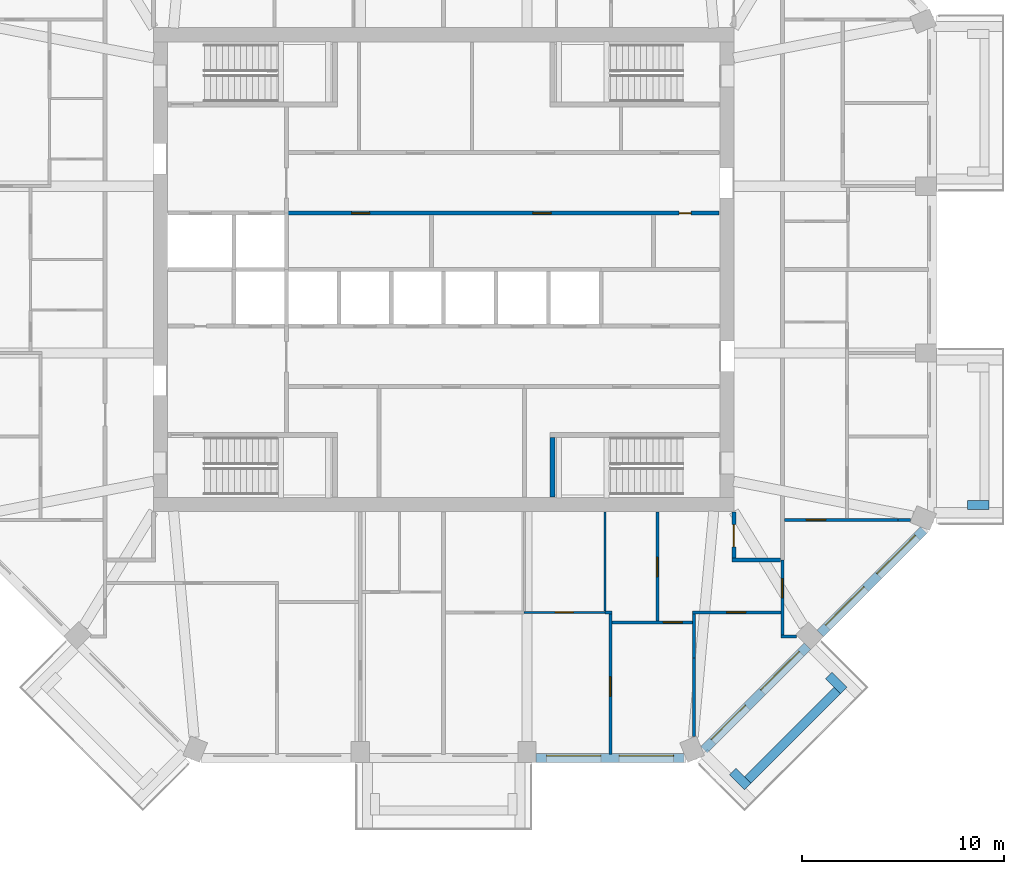
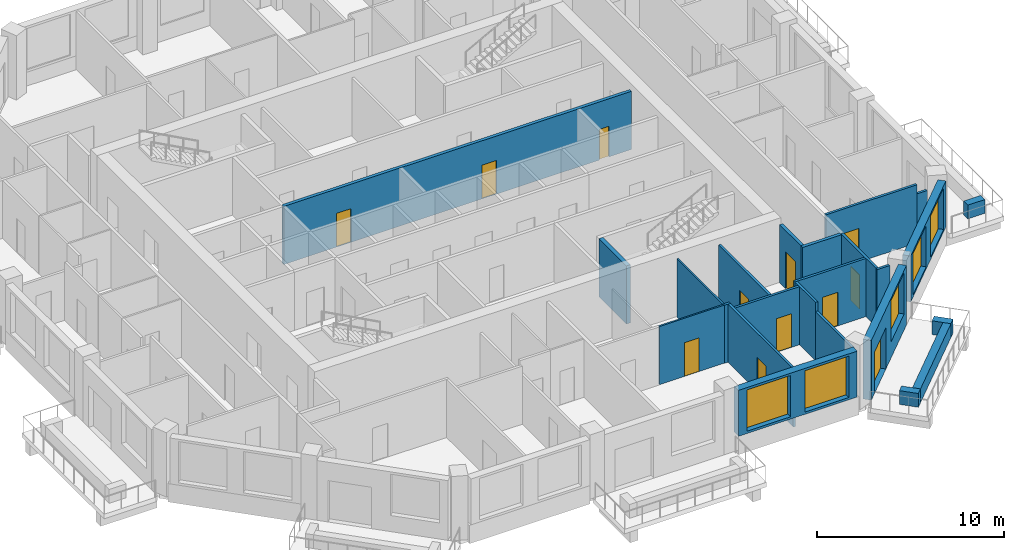
# One storey, part 5 of 12: 24 walls, 12 doors, 5 windows, 17 openings.
"""IFC4 building model written with IfcOpenShell, lengths in metres."""

from ifc_helpers import new_model, si_unit, direction, frame, frame_2d, origin, place, context, subcontext, project, spatial, rectangle, extrude, material, layer, layer_set, type_object, element, fill, save


model = new_model("IFC4")

# Units and contexts
model_context = context("Model", 3, precision=1e-05, world=origin(), true_north=direction((0.0, 1.0)))
body_context = subcontext(model_context, "Body", "Model", "MODEL_VIEW")
ifc_project = project(units=[si_unit("LENGTHUNIT", "METRE"), si_unit("AREAUNIT", "SQUARE_METRE"), si_unit("VOLUMEUNIT", "CUBIC_METRE"), si_unit("PLANEANGLEUNIT", "RADIAN"), si_unit("MASSUNIT", "GRAM", prefix="KILO")], contexts=[model_context])

# Site, building, storey
site_placement = place(None, origin())
site = spatial("IfcSite", under=ifc_project, at=site_placement, CompositionType="ELEMENT")
building_placement = place(site_placement, origin())
building = spatial("IfcBuilding", under=site, at=building_placement, Name="Msitu Wima Residences", CompositionType="ELEMENT")
storey_placement = place(building_placement, frame((0.0, 0.0, 200.10009765625)))
storey = spatial("IfcBuildingStorey", under=building, at=storey_placement, Name="L46", CompositionType="ELEMENT", Elevation=200.10009765625)

# Walls
ifc_material_1 = material(Name="Facing brick")
ifc_layer_1 = layer(ifc_material_1, 0.06494140625, Name="Facing brick")
ifc_material_2 = material(Name="Concrete C40/50", Category="concrete")
ifc_layer_2 = layer(ifc_material_2, 0.156005859375, Name="Concrete C40/50")
ifc_material_3 = material(Name="Waterproofing membrane")
ifc_layer_3 = layer(ifc_material_3, 0.00390625, Name="Waterproofing membrane")
ifc_material_4 = material(Name="Planting soil and planting")
ifc_layer_4 = layer(ifc_material_4, 0.22509765625, Name="Planting soil and planting")
ifc_layer_set_1 = layer_set([ifc_layer_1, ifc_layer_2, ifc_layer_3, ifc_layer_4], Name="Concrete C40/50")
wall_type_1 = type_object("IfcWallType", Name="Balcony planter PLANTER PL450", PredefinedType="USERDEFINED", material=ifc_layer_set_1)
wall_1_placement = place(storey_placement, frame((26.0, -11.686767578125, 0.0), z_axis=(0.0, 0.0, 1.0), x_axis=(1.0, 0.0, 0.0)))
element("IfcWall", 1, at=wall_1_placement, inside=storey, type_object=wall_type_1, Name="Balcony planter E0 L46", ObjectType="PLANTER", PredefinedType="USERDEFINED", context=body_context, shape_type="SweptSolid", body=[
    extrude(rectangle(XDim=1.050048828125, YDim=0.449951171875, at=frame_2d((0.52490234375, 0.0))), origin(), (0.0, 0.0, 1.0), 0.89990234375),
])
wall_2_placement = place(storey_placement, frame((15.0810546875, -25.325927734375, 0.0), z_axis=(0.0, 0.0, 1.0), x_axis=(0.707106781187, 0.707106781187, 0.0)))
element("IfcWall", 2, at=wall_2_placement, inside=storey, type_object=wall_type_1, Name="Balcony planter SE0 L46", ObjectType="PLANTER", PredefinedType="USERDEFINED", context=body_context, shape_type="SweptSolid", body=[
    extrude(rectangle(XDim=6.294189453125, YDim=0.449951171875, at=frame_2d((3.14697265625, 0.0))), origin(), (0.0, 0.0, 1.0), 0.89990234375),
])
for number, where, z_axis, x_axis, name in (
    (3, (14.338623046875, -24.901611328125, 0.0), (0.0, 0.0, 1.0), (0.707106781187, -0.707106781187, 0.0), "Balcony planter SE0 L46"),
    (4, (19.107421875, -20.1328125, 0.0), (0.0, 0.0, 1.0), (0.707106781187, -0.707106781187, 0.0), "Balcony planter SE0 L46"),
):
    element("IfcWall", number, at=place(storey_placement, frame(where, z_axis=z_axis, x_axis=x_axis)), inside=storey, type_object=wall_type_1, Name=name, ObjectType="PLANTER", PredefinedType="USERDEFINED", context=body_context, shape_type="SweptSolid", body=[
        extrude(rectangle(XDim=1.050048828125, YDim=0.449951171875, at=frame_2d((0.52490234375, 0.0))), origin(), (0.0, 0.0, 1.0), 0.89990234375),
    ])

# Wall, openings, windows
ifc_material_5 = material(Name="Brick (red buff mix)", Category="masonry")
ifc_layer_5 = layer(ifc_material_5, 0.449951171875)
ifc_layer_set_2 = layer_set([ifc_layer_5], Name="Brick (red buff mix)")
wall_type_2 = type_object("IfcWallType", Name="Brick infill wall BW450", PredefinedType="SOLIDWALL", material=ifc_layer_set_2)
wall_3_placement = place(storey_placement, frame((4.587158203125, -24.22509765625, 0.89990234375), z_axis=(0.0, 0.0, 1.0), x_axis=(1.0, 0.0, 0.0)))
wall_3 = element("IfcWall", 5, at=wall_3_placement, inside=storey, type_object=wall_type_2, Name="Brick infill wall L46 S2", PredefinedType="SOLIDWALL", context=body_context, shape_type="SweptSolid", body=[
    extrude(rectangle(XDim=7.337646484375, YDim=0.449951171875, at=frame_2d((3.6689453125, 0.0))), origin(), (0.0, 0.0, 1.0), 3.0),
])
opening_1_placement = place(wall_3_placement, frame((0.518798828125, 0.0, 0.14990234375)))
opening_1 = element("IfcOpeningElement", 6, at=opening_1_placement, cuts=wall_3, Name="Opening W46.019", PredefinedType="OPENING", context=body_context, shape_type="SweptSolid", body=[
    extrude(rectangle(XDim=2.699951171875, YDim=2.699951171875, at=frame_2d((1.35009765625, 1.35009765625))), frame((0.0, 0.23486328125, 0.0), z_axis=(0.0, -1.0, 0.0), x_axis=(1.0, 0.0, 0.0)), (0.0, 0.0, 1.0), 0.469970703125),
])
opening_2_placement = place(wall_3_placement, frame((4.11865234375, 0.0, 0.14990234375)))
opening_2 = element("IfcOpeningElement", 7, at=opening_2_placement, cuts=wall_3, Name="Opening W46.020", PredefinedType="OPENING", context=body_context, shape_type="SweptSolid", body=[
    extrude(rectangle(XDim=2.699951171875, YDim=2.699951171875, at=frame_2d((1.35009765625, 1.35009765625))), frame((0.0, 0.23486328125, 0.0), z_axis=(0.0, -1.0, 0.0), x_axis=(1.0, 0.0, 0.0)), (0.0, 0.0, 1.0), 0.469970703125),
])
ifc_material_6 = material(Name="Anodised aluminium, bronze finish, clear low-emissivity double glazing", Category="aluminium")
window_type = type_object("IfcWindowType", Name="Window W2700x2700", PartitioningType="DOUBLE_PANEL_VERTICAL", PredefinedType="WINDOW", material=ifc_material_6)
window_1_placement = place(opening_1_placement, origin())
window_1 = element("IfcWindow", 8, at=window_1_placement, inside=storey, type_object=window_type, Name="Window L46 S2.1", OverallHeight=2.699951171875, OverallWidth=2.699951171875, PartitioningType="SINGLE_PANEL", PredefinedType="WINDOW", context=body_context, shape_type="SweptSolid", body=[
    extrude(rectangle(XDim=2.699951171875, YDim=2.699951171875, at=frame_2d((1.35009765625, 1.35009765625))), frame((0.0, 0.135009765625, 0.0), z_axis=(0.0, -1.0, 0.0), x_axis=(1.0, 0.0, 0.0)), (0.0, 0.0, 1.0), 0.06005859375),
])
fill(opening_1, window_1)
window_2_placement = place(opening_2_placement, origin())
window_2 = element("IfcWindow", 9, at=window_2_placement, inside=storey, type_object=window_type, Name="Window L46 S2.2", OverallHeight=2.699951171875, OverallWidth=2.699951171875, PartitioningType="SINGLE_PANEL", PredefinedType="WINDOW", context=body_context, shape_type="SweptSolid", body=[
    extrude(rectangle(XDim=2.699951171875, YDim=2.699951171875, at=frame_2d((1.35009765625, 1.35009765625))), frame((0.0, 0.135009765625, 0.0), z_axis=(0.0, -1.0, 0.0), x_axis=(1.0, 0.0, 0.0)), (0.0, 0.0, 1.0), 0.06005859375),
])
fill(opening_2, window_2)

# Wall, openings, door, window
wall_4_placement = place(storey_placement, frame((12.915283203125, -23.814697265625, 0.0), z_axis=(0.0, 0.0, 1.0), x_axis=(0.707106781187, 0.707106781187, 0.0)))
wall_4 = element("IfcWall", 10, at=wall_4_placement, inside=storey, type_object=wall_type_2, Name="Brick infill wall L46 SE0", PredefinedType="SOLIDWALL", context=body_context, shape_type="SweptSolid", body=[
    extrude(rectangle(XDim=7.257080078125, YDim=0.449951171875, at=frame_2d((3.62841796875, 0.0))), origin(), (0.0, 0.0, 1.0), 3.89990234375),
])
opening_3_placement = place(wall_4_placement, frame((0.6142578125, 0.0, 0.0)))
opening_3 = element("IfcOpeningElement", 11, at=opening_3_placement, cuts=wall_4, Name="Opening D46.007", PredefinedType="OPENING", context=body_context, shape_type="SweptSolid", body=[
    extrude(rectangle(XDim=2.39990234375, YDim=2.699951171875, at=frame_2d((1.199951171875, 1.35009765625))), frame((0.0, 0.23486328125, 0.0), z_axis=(0.0, -1.0, 0.0), x_axis=(1.0, 0.0, 0.0)), (0.0, 0.0, 1.0), 0.469970703125),
])
opening_4_placement = place(wall_4_placement, frame((4.07861328125, 0.0, 1.050048828125)))
opening_4 = element("IfcOpeningElement", 12, at=opening_4_placement, cuts=wall_4, Name="Opening W46.021", PredefinedType="OPENING", context=body_context, shape_type="SweptSolid", body=[
    extrude(rectangle(XDim=2.699951171875, YDim=2.699951171875, at=frame_2d((1.35009765625, 1.35009765625))), frame((0.0, 0.23486328125, 0.0), z_axis=(0.0, -1.0, 0.0), x_axis=(1.0, 0.0, 0.0)), (0.0, 0.0, 1.0), 0.469970703125),
])
door_type_1 = type_object("IfcDoorType", Name="Balcony door D2400x2700", OperationType="SLIDING_TO_LEFT", PredefinedType="DOOR", material=ifc_material_6)
door_1_placement = place(opening_3_placement, origin())
door_1 = element("IfcDoor", 13, at=door_1_placement, inside=storey, type_object=door_type_1, Name="Balcony door L46 SE0", OperationType="SINGLE_SWING_LEFT", OverallHeight=2.699951171875, OverallWidth=2.39990234375, PredefinedType="DOOR", context=body_context, shape_type="SweptSolid", body=[
    extrude(rectangle(XDim=2.39990234375, YDim=2.699951171875, at=frame_2d((1.199951171875, 1.35009765625))), frame((0.0, 0.1298828125, 0.0), z_axis=(0.0, -1.0, 0.0), x_axis=(1.0, 0.0, 0.0)), (0.0, 0.0, 1.0), 0.050048828125),
])
fill(opening_3, door_1)
window_3_placement = place(opening_4_placement, origin())
window_3 = element("IfcWindow", 14, at=window_3_placement, inside=storey, type_object=window_type, Name="Window L46 SE0.2", OverallHeight=2.699951171875, OverallWidth=2.699951171875, PartitioningType="SINGLE_PANEL", PredefinedType="WINDOW", context=body_context, shape_type="SweptSolid", body=[
    extrude(rectangle(XDim=2.699951171875, YDim=2.699951171875, at=frame_2d((1.35009765625, 1.35009765625))), frame((0.0, 0.135009765625, 0.0), z_axis=(0.0, -1.0, 0.0), x_axis=(1.0, 0.0, 0.0)), (0.0, 0.0, 1.0), 0.06005859375),
])
fill(opening_4, window_3)

# Wall, openings, windows
wall_5_placement = place(storey_placement, frame((18.68310546875, -18.046875, 0.89990234375), z_axis=(0.0, 0.0, 1.0), x_axis=(0.707106781187, 0.707106781187, 0.0)))
wall_5 = element("IfcWall", 15, at=wall_5_placement, inside=storey, type_object=wall_type_2, Name="Brick infill wall L46 SE1", PredefinedType="SOLIDWALL", context=body_context, shape_type="SweptSolid", body=[
    extrude(rectangle(XDim=7.257080078125, YDim=0.449951171875, at=frame_2d((3.62841796875, 0.0))), origin(), (0.0, 0.0, 1.0), 3.0),
])
opening_5_placement = place(wall_5_placement, frame((0.478515625, 0.0, 0.14990234375)))
opening_5 = element("IfcOpeningElement", 16, at=opening_5_placement, cuts=wall_5, Name="Opening W46.022", PredefinedType="OPENING", context=body_context, shape_type="SweptSolid", body=[
    extrude(rectangle(XDim=2.699951171875, YDim=2.699951171875, at=frame_2d((1.35009765625, 1.35009765625))), frame((0.0, 0.23486328125, 0.0), z_axis=(0.0, -1.0, 0.0), x_axis=(1.0, 0.0, 0.0)), (0.0, 0.0, 1.0), 0.469970703125),
])
opening_6_placement = place(wall_5_placement, frame((4.07861328125, 0.0, 0.14990234375)))
opening_6 = element("IfcOpeningElement", 17, at=opening_6_placement, cuts=wall_5, Name="Opening W46.023", PredefinedType="OPENING", context=body_context, shape_type="SweptSolid", body=[
    extrude(rectangle(XDim=2.699951171875, YDim=2.699951171875, at=frame_2d((1.35009765625, 1.35009765625))), frame((0.0, 0.23486328125, 0.0), z_axis=(0.0, -1.0, 0.0), x_axis=(1.0, 0.0, 0.0)), (0.0, 0.0, 1.0), 0.469970703125),
])
window_4_placement = place(opening_5_placement, origin())
window_4 = element("IfcWindow", 18, at=window_4_placement, inside=storey, type_object=window_type, Name="Window L46 SE1.1", OverallHeight=2.699951171875, OverallWidth=2.699951171875, PartitioningType="SINGLE_PANEL", PredefinedType="WINDOW", context=body_context, shape_type="SweptSolid", body=[
    extrude(rectangle(XDim=2.699951171875, YDim=2.699951171875, at=frame_2d((1.35009765625, 1.35009765625))), frame((0.0, 0.135009765625, 0.0), z_axis=(0.0, -1.0, 0.0), x_axis=(1.0, 0.0, 0.0)), (0.0, 0.0, 1.0), 0.06005859375),
])
fill(opening_5, window_4)
window_5_placement = place(opening_6_placement, origin())
window_5 = element("IfcWindow", 19, at=window_5_placement, inside=storey, type_object=window_type, Name="Window L46 SE1.2", OverallHeight=2.699951171875, OverallWidth=2.699951171875, PartitioningType="SINGLE_PANEL", PredefinedType="WINDOW", context=body_context, shape_type="SweptSolid", body=[
    extrude(rectangle(XDim=2.699951171875, YDim=2.699951171875, at=frame_2d((1.35009765625, 1.35009765625))), frame((0.0, 0.135009765625, 0.0), z_axis=(0.0, -1.0, 0.0), x_axis=(1.0, 0.0, 0.0)), (0.0, 0.0, 1.0), 0.06005859375),
])
fill(opening_6, window_5)

# Wall, opening, door
ifc_material_7 = material(Name="Plaster")
ifc_layer_6 = layer(ifc_material_7, 0.011962890625, Name="Plaster")
ifc_material_8 = material(Name="Concrete blockwork", Category="masonry")
ifc_layer_7 = layer(ifc_material_8, 0.176025390625, Name="Concrete blockwork")
ifc_layer_8 = layer(ifc_material_7, 0.011962890625, Name="Plaster")
ifc_layer_set_3 = layer_set([ifc_layer_6, ifc_layer_7, ifc_layer_8], Name="Concrete blockwork")
wall_type_3 = type_object("IfcWallType", Name="Corridor wall FW200", PredefinedType="PARTITIONING", material=ifc_layer_set_3)
wall_6_placement = place(storey_placement, frame((14.39990234375, -14.300048828125, 0.0), z_axis=(0.0, 0.0, 1.0), x_axis=(0.0, 1.0, 0.0)))
wall_6 = element("IfcWall", 20, at=wall_6_placement, inside=storey, type_object=wall_type_3, Name="Corridor wall", PredefinedType="PARTITIONING", context=body_context, shape_type="SweptSolid", body=[
    extrude(rectangle(XDim=2.27001953125, YDim=0.199951171875, at=frame_2d((1.135009765625, 0.0))), origin(), (0.0, 0.0, 1.0), 3.7978515625),
])
opening_7_placement = place(wall_6_placement, frame((0.550048828125, 0.0, 0.0)))
opening_7 = element("IfcOpeningElement", 21, at=opening_7_placement, cuts=wall_6, Name="Opening D46.046", PredefinedType="OPENING", context=body_context, shape_type="SweptSolid", body=[
    extrude(rectangle(XDim=1.10009765625, YDim=2.39990234375, at=frame_2d((0.550048828125, 1.199951171875))), frame((0.0, 0.10986328125, 0.0), z_axis=(0.0, -1.0, 0.0), x_axis=(1.0, 0.0, 0.0)), (0.0, 0.0, 1.0), 0.219970703125),
])
ifc_material_9 = material(Name="Timber flush door, fire resisting, self-closing", Category="wood")
door_type_2 = type_object("IfcDoorType", Name="Flat entrance door D01 1100x2400", OperationType="SINGLE_SWING_LEFT", PredefinedType="DOOR", material=ifc_material_9)
door_2_placement = place(opening_7_placement, origin())
door_2 = element("IfcDoor", 22, at=door_2_placement, inside=storey, type_object=door_type_2, Name="Flat entrance door", OperationType="SINGLE_SWING_RIGHT", OverallHeight=2.39990234375, OverallWidth=1.10009765625, PredefinedType="DOOR", context=body_context, shape_type="SweptSolid", body=[
    extrude(rectangle(XDim=1.10009765625, YDim=2.39990234375, at=frame_2d((0.550048828125, 1.199951171875))), frame((0.0, 0.02490234375, 0.0), z_axis=(0.0, -1.0, 0.0), x_axis=(1.0, 0.0, 0.0)), (0.0, 0.0, 1.0), 0.050048828125),
])
fill(opening_7, door_2)

# Walls
wall_7_placement = place(storey_placement, frame((14.300048828125, -14.39990234375, 0.0), z_axis=(0.0, 0.0, 1.0), x_axis=(1.0, 0.0, 0.0)))
element("IfcWall", 23, at=wall_7_placement, inside=storey, type_object=wall_type_3, Name="Corridor wall", PredefinedType="PARTITIONING", context=body_context, shape_type="SweptSolid", body=[
    extrude(rectangle(XDim=2.39990234375, YDim=0.199951171875, at=frame_2d((1.199951171875, 0.0))), origin(), (0.0, 0.0, 1.0), 3.7978515625),
])
ifc_layer_9 = layer(ifc_material_7, 0.011962890625, Name="Plaster")
ifc_layer_10 = layer(ifc_material_8, 0.1259765625, Name="Concrete blockwork")
ifc_layer_11 = layer(ifc_material_7, 0.011962890625, Name="Plaster")
ifc_layer_set_4 = layer_set([ifc_layer_9, ifc_layer_10, ifc_layer_11], Name="Concrete blockwork")
wall_type_4 = type_object("IfcWallType", Name="Partition PW150", PredefinedType="PARTITIONING", material=ifc_layer_set_4)
wall_8_placement = place(storey_placement, frame((8.0, -17.0, 0.0), z_axis=(0.0, 0.0, 1.0), x_axis=(1.0, 0.0, 0.0)))
element("IfcWall", 24, at=wall_8_placement, inside=storey, type_object=wall_type_4, Name="Partition", PredefinedType="PARTITIONING", context=body_context, shape_type="SweptSolid", body=[
    extrude(rectangle(XDim=0.349609375, YDim=0.14990234375, at=frame_2d((0.1748046875, 0.0))), origin(), (0.0, 0.0, 1.0), 3.7978515625),
])

# Wall, opening, door
wall_9_placement = place(storey_placement, frame((8.2744140625, -24.054931640625, 0.0), z_axis=(0.0, 0.0, 1.0), x_axis=(0.0, 1.0, 0.0)))
wall_9 = element("IfcWall", 25, at=wall_9_placement, inside=storey, type_object=wall_type_4, Name="Partition", PredefinedType="PARTITIONING", context=body_context, shape_type="SweptSolid", body=[
    extrude(rectangle(XDim=6.97998046875, YDim=0.14990234375, at=frame_2d((3.489990234375, 0.0))), origin(), (0.0, 0.0, 1.0), 3.7978515625),
])
opening_8_placement = place(wall_9_placement, frame((2.89990234375, 0.0, 0.0)))
opening_8 = element("IfcOpeningElement", 26, at=opening_8_placement, cuts=wall_9, Name="Opening D46.054", PredefinedType="OPENING", context=body_context, shape_type="SweptSolid", body=[
    extrude(rectangle(XDim=0.949951171875, YDim=2.199951171875, at=frame_2d((0.47509765625, 1.10009765625))), frame((0.0, 0.0849609375, 0.0), z_axis=(0.0, -1.0, 0.0), x_axis=(1.0, 0.0, 0.0)), (0.0, 0.0, 1.0), 0.169921875),
])
ifc_material_10 = material(Name="Timber flush door", Category="wood")
door_type_3 = type_object("IfcDoorType", Name="Room door D12 950x2200", OperationType="SINGLE_SWING_LEFT", PredefinedType="DOOR", material=ifc_material_10)
door_3_placement = place(opening_8_placement, origin())
door_3 = element("IfcDoor", 27, at=door_3_placement, inside=storey, type_object=door_type_3, Name="Room door", OperationType="SINGLE_SWING_LEFT", OverallHeight=2.199951171875, OverallWidth=0.949951171875, PredefinedType="DOOR", context=body_context, shape_type="SweptSolid", body=[
    extrude(rectangle(XDim=0.949951171875, YDim=2.199951171875, at=frame_2d((0.47509765625, 1.10009765625))), frame((0.0, 0.02490234375, 0.0), z_axis=(0.0, -1.0, 0.0), x_axis=(1.0, 0.0, 0.0)), (0.0, 0.0, 1.0), 0.050048828125),
])
fill(opening_8, door_3)

wall_10_placement = place(storey_placement, frame((8.349609375, -17.5, 0.0), z_axis=(0.0, 0.0, 1.0), x_axis=(1.0, 0.0, 0.0)))
wall_10 = element("IfcWall", 28, at=wall_10_placement, inside=storey, type_object=wall_type_4, Name="Partition", PredefinedType="PARTITIONING", context=body_context, shape_type="SweptSolid", body=[
    extrude(rectangle(XDim=3.987060546875, YDim=0.14990234375, at=frame_2d((1.99365234375, 0.0))), origin(), (0.0, 0.0, 1.0), 3.7978515625),
])
opening_9_placement = place(wall_10_placement, frame((2.550048828125, 0.0, 0.0)))
opening_9 = element("IfcOpeningElement", 29, at=opening_9_placement, cuts=wall_10, Name="Opening D46.051", PredefinedType="OPENING", context=body_context, shape_type="SweptSolid", body=[
    extrude(rectangle(XDim=0.949951171875, YDim=2.199951171875, at=frame_2d((0.47509765625, 1.10009765625))), frame((0.0, 0.0849609375, 0.0), z_axis=(0.0, -1.0, 0.0), x_axis=(1.0, 0.0, 0.0)), (0.0, 0.0, 1.0), 0.169921875),
])
door_4_placement = place(opening_9_placement, origin())
door_4 = element("IfcDoor", 30, at=door_4_placement, inside=storey, type_object=door_type_3, Name="Room door", OperationType="SINGLE_SWING_LEFT", OverallHeight=2.199951171875, OverallWidth=0.949951171875, PredefinedType="DOOR", context=body_context, shape_type="SweptSolid", body=[
    extrude(rectangle(XDim=0.949951171875, YDim=2.199951171875, at=frame_2d((0.47509765625, 1.10009765625))), frame((0.0, 0.02490234375, 0.0), z_axis=(0.0, -1.0, 0.0), x_axis=(1.0, 0.0, 0.0)), (0.0, 0.0, 1.0), 0.050048828125),
])
fill(opening_9, door_4)

wall_11_placement = place(storey_placement, frame((10.60009765625, -17.425048828125, 0.0), z_axis=(0.0, 0.0, 1.0), x_axis=(0.0, 1.0, 0.0)))
wall_11 = element("IfcWall", 31, at=wall_11_placement, inside=storey, type_object=wall_type_4, Name="Partition", PredefinedType="PARTITIONING", context=body_context, shape_type="SweptSolid", body=[
    extrude(rectangle(XDim=5.39501953125, YDim=0.14990234375, at=frame_2d((2.697509765625, 0.0))), origin(), (0.0, 0.0, 1.0), 3.7978515625),
])
opening_10_placement = place(wall_11_placement, frame((2.199951171875, 0.0, 0.0)))
opening_10 = element("IfcOpeningElement", 32, at=opening_10_placement, cuts=wall_11, Name="Opening D46.047", PredefinedType="OPENING", context=body_context, shape_type="SweptSolid", body=[
    extrude(rectangle(XDim=0.949951171875, YDim=2.199951171875, at=frame_2d((0.47509765625, 1.10009765625))), frame((0.0, 0.0849609375, 0.0), z_axis=(0.0, -1.0, 0.0), x_axis=(1.0, 0.0, 0.0)), (0.0, 0.0, 1.0), 0.169921875),
])
door_5_placement = place(opening_10_placement, origin())
door_5 = element("IfcDoor", 33, at=door_5_placement, inside=storey, type_object=door_type_3, Name="Room door", OperationType="SINGLE_SWING_LEFT", OverallHeight=2.199951171875, OverallWidth=0.949951171875, PredefinedType="DOOR", context=body_context, shape_type="SweptSolid", body=[
    extrude(rectangle(XDim=0.949951171875, YDim=2.199951171875, at=frame_2d((0.47509765625, 1.10009765625))), frame((0.0, 0.02490234375, 0.0), z_axis=(0.0, -1.0, 0.0), x_axis=(1.0, 0.0, 0.0)), (0.0, 0.0, 1.0), 0.050048828125),
])
fill(opening_10, door_5)

# Walls
wall_12_placement = place(storey_placement, frame((12.411865234375, -23.1689453125, 0.0), z_axis=(0.0, 0.0, 1.0), x_axis=(0.0, 1.0, 0.0)))
element("IfcWall", 34, at=wall_12_placement, inside=storey, type_object=wall_type_4, Name="Partition", PredefinedType="PARTITIONING", context=body_context, shape_type="SweptSolid", body=[
    extrude(rectangle(XDim=3.8984375, YDim=0.14990234375, at=frame_2d((1.94921875, 0.0))), origin(), (0.0, 0.0, 1.0), 3.199951171875),
])
wall_13_placement = place(storey_placement, frame((12.411865234375, -19.2705078125, 0.0), z_axis=(0.0, 0.0, 1.0), x_axis=(0.0, 1.0, 0.0)))
element("IfcWall", 35, at=wall_13_placement, inside=storey, type_object=wall_type_4, Name="Partition", PredefinedType="PARTITIONING", context=body_context, shape_type="SweptSolid", body=[
    extrude(rectangle(XDim=2.195556640625, YDim=0.14990234375, at=frame_2d((1.09765625, 0.0))), origin(), (0.0, 0.0, 1.0), 3.7978515625),
])

# Wall, opening, door
wall_14_placement = place(storey_placement, frame((12.336669921875, -17.0, 0.0), z_axis=(0.0, 0.0, 1.0), x_axis=(1.0, 0.0, 0.0)))
wall_14 = element("IfcWall", 36, at=wall_14_placement, inside=storey, type_object=wall_type_4, Name="Partition", PredefinedType="PARTITIONING", context=body_context, shape_type="SweptSolid", body=[
    extrude(rectangle(XDim=4.388427734375, YDim=0.14990234375, at=frame_2d((2.1943359375, 0.0))), origin(), (0.0, 0.0, 1.0), 3.7978515625),
])
opening_11_placement = place(wall_14_placement, frame((1.699951171875, 0.0, 0.0)))
opening_11 = element("IfcOpeningElement", 37, at=opening_11_placement, cuts=wall_14, Name="Opening D46.052", PredefinedType="OPENING", context=body_context, shape_type="SweptSolid", body=[
    extrude(rectangle(XDim=0.949951171875, YDim=2.199951171875, at=frame_2d((0.47509765625, 1.10009765625))), frame((0.0, 0.0849609375, 0.0), z_axis=(0.0, -1.0, 0.0), x_axis=(1.0, 0.0, 0.0)), (0.0, 0.0, 1.0), 0.169921875),
])
door_6_placement = place(opening_11_placement, origin())
door_6 = element("IfcDoor", 38, at=door_6_placement, inside=storey, type_object=door_type_3, Name="Room door", OperationType="SINGLE_SWING_RIGHT", OverallHeight=2.199951171875, OverallWidth=0.949951171875, PredefinedType="DOOR", context=body_context, shape_type="SweptSolid", body=[
    extrude(rectangle(XDim=0.949951171875, YDim=2.199951171875, at=frame_2d((0.47509765625, 1.10009765625))), frame((0.0, 0.02490234375, 0.0), z_axis=(0.0, -1.0, 0.0), x_axis=(1.0, 0.0, 0.0)), (0.0, 0.0, 1.0), 0.050048828125),
])
fill(opening_11, door_6)

wall_15_placement = place(storey_placement, frame((16.800048828125, -18.130859375, 0.0), z_axis=(0.0, 0.0, 1.0), x_axis=(0.0, 1.0, 0.0)))
wall_15 = element("IfcWall", 39, at=wall_15_placement, inside=storey, type_object=wall_type_4, Name="Partition", PredefinedType="PARTITIONING", context=body_context, shape_type="SweptSolid", body=[
    extrude(rectangle(XDim=3.73095703125, YDim=0.14990234375, at=frame_2d((1.865478515625, 0.0))), origin(), (0.0, 0.0, 1.0), 3.7978515625),
])
opening_12_placement = place(wall_15_placement, frame((1.85009765625, 0.0, 0.0)))
opening_12 = element("IfcOpeningElement", 40, at=opening_12_placement, cuts=wall_15, Name="Opening D46.053", PredefinedType="OPENING", context=body_context, shape_type="SweptSolid", body=[
    extrude(rectangle(XDim=0.949951171875, YDim=2.199951171875, at=frame_2d((0.47509765625, 1.10009765625))), frame((0.0, 0.0849609375, 0.0), z_axis=(0.0, -1.0, 0.0), x_axis=(1.0, 0.0, 0.0)), (0.0, 0.0, 1.0), 0.169921875),
])
door_7_placement = place(opening_12_placement, origin())
door_7 = element("IfcDoor", 41, at=door_7_placement, inside=storey, type_object=door_type_3, Name="Room door", OperationType="SINGLE_SWING_RIGHT", OverallHeight=2.199951171875, OverallWidth=0.949951171875, PredefinedType="DOOR", context=body_context, shape_type="SweptSolid", body=[
    extrude(rectangle(XDim=0.949951171875, YDim=2.199951171875, at=frame_2d((0.47509765625, 1.10009765625))), frame((0.0, 0.02490234375, 0.0), z_axis=(0.0, -1.0, 0.0), x_axis=(1.0, 0.0, 0.0)), (0.0, 0.0, 1.0), 0.050048828125),
])
fill(opening_12, door_7)

# Wall
wall_16_placement = place(storey_placement, frame((16.72509765625, -18.205810546875, 0.0), z_axis=(0.0, 0.0, 1.0), x_axis=(1.0, 0.0, 0.0)))
element("IfcWall", 42, at=wall_16_placement, inside=storey, type_object=wall_type_4, Name="Partition", PredefinedType="PARTITIONING", context=body_context, shape_type="SweptSolid", body=[
    extrude(rectangle(XDim=0.784423828125, YDim=0.14990234375, at=frame_2d((0.39208984375, 0.0))), origin(), (0.0, 0.0, 1.0), 3.7978515625),
])

# Wall, opening, door
wall_17_placement = place(storey_placement, frame((16.89990234375, -12.409912109375, 0.0), z_axis=(0.0, 0.0, 1.0), x_axis=(1.0, 0.0, 0.0)))
wall_17 = element("IfcWall", 43, at=wall_17_placement, inside=storey, type_object=wall_type_4, Name="Partition", PredefinedType="PARTITIONING", context=body_context, shape_type="SweptSolid", body=[
    extrude(rectangle(XDim=5.62939453125, YDim=0.14990234375, at=frame_2d((2.814697265625, 0.0))), origin(), (0.0, 0.0, 1.0), 3.7978515625),
])
opening_13_placement = place(wall_17_placement, frame((1.10009765625, 0.0, 0.0)))
opening_13 = element("IfcOpeningElement", 44, at=opening_13_placement, cuts=wall_17, Name="Opening D46.055", PredefinedType="OPENING", context=body_context, shape_type="SweptSolid", body=[
    extrude(rectangle(XDim=0.949951171875, YDim=2.199951171875, at=frame_2d((0.47509765625, 1.10009765625))), frame((0.0, 0.0849609375, 0.0), z_axis=(0.0, -1.0, 0.0), x_axis=(1.0, 0.0, 0.0)), (0.0, 0.0, 1.0), 0.169921875),
])
door_8_placement = place(opening_13_placement, origin())
door_8 = element("IfcDoor", 45, at=door_8_placement, inside=storey, type_object=door_type_3, Name="Room door", OperationType="SINGLE_SWING_RIGHT", OverallHeight=2.199951171875, OverallWidth=0.949951171875, PredefinedType="DOOR", context=body_context, shape_type="SweptSolid", body=[
    extrude(rectangle(XDim=0.949951171875, YDim=2.199951171875, at=frame_2d((0.47509765625, 1.10009765625))), frame((0.0, 0.02490234375, 0.0), z_axis=(0.0, -1.0, 0.0), x_axis=(1.0, 0.0, 0.0)), (0.0, 0.0, 1.0), 0.050048828125),
])
fill(opening_13, door_8)

# Wall
wall_18_placement = place(storey_placement, frame((22.529296875, -12.409912109375, 0.0), z_axis=(0.0, 0.0, 1.0), x_axis=(1.0, 0.0, 0.0)))
element("IfcWall", 46, at=wall_18_placement, inside=storey, type_object=wall_type_4, Name="Partition", PredefinedType="PARTITIONING", context=body_context, shape_type="SweptSolid", body=[
    extrude(rectangle(XDim=0.640380859375, YDim=0.14990234375, at=frame_2d((0.3203125, 0.0))), origin(), (0.0, 0.0, 1.0), 3.199951171875),
])

# Wall, openings, doors
ifc_layer_12 = layer(ifc_material_7, 0.011962890625, Name="Plaster")
ifc_material_11 = material(Name="Reinforced concrete blockwork", Category="masonry")
ifc_layer_13 = layer(ifc_material_11, 0.176025390625, Name="Reinforced concrete blockwork")
ifc_layer_14 = layer(ifc_material_7, 0.011962890625, Name="Plaster")
ifc_layer_set_5 = layer_set([ifc_layer_12, ifc_layer_13, ifc_layer_14], Name="Reinforced concrete blockwork")
wall_type_5 = type_object("IfcWallType", Name="Plant and riser wall PL200", PredefinedType="PARTITIONING", material=ifc_layer_set_5)
wall_19_placement = place(storey_placement, frame((-7.820068359375, 2.800048828125, 0.0), z_axis=(0.0, 0.0, 1.0), x_axis=(1.0, 0.0, 0.0)))
wall_19 = element("IfcWall", 47, at=wall_19_placement, inside=storey, type_object=wall_type_5, Name="Plant and riser wall", PredefinedType="PARTITIONING", context=body_context, shape_type="SweptSolid", body=[
    extrude(rectangle(XDim=21.489990234375, YDim=0.199951171875, at=frame_2d((10.7451171875, 0.0))), origin(), (0.0, 0.0, 1.0), 3.7978515625),
])
opening_14_placement = place(wall_19_placement, frame((19.5, 0.0, 0.0)))
opening_14 = element("IfcOpeningElement", 48, at=opening_14_placement, cuts=wall_19, Name="Opening D46.075", PredefinedType="OPENING", context=body_context, shape_type="SweptSolid", body=[
    extrude(rectangle(XDim=0.60009765625, YDim=2.0, at=frame_2d((0.300048828125, 1.0))), frame((0.0, 0.10986328125, 0.0), z_axis=(0.0, -1.0, 0.0), x_axis=(1.0, 0.0, 0.0)), (0.0, 0.0, 1.0), 0.219970703125),
])
opening_15_placement = place(wall_19_placement, frame((3.25, 0.0, 0.0)))
opening_15 = element("IfcOpeningElement", 49, at=opening_15_placement, cuts=wall_19, Name="Opening D46.073", PredefinedType="OPENING", context=body_context, shape_type="SweptSolid", body=[
    extrude(rectangle(XDim=0.89990234375, YDim=2.199951171875, at=frame_2d((0.449951171875, 1.10009765625))), frame((0.0, 0.10986328125, 0.0), z_axis=(0.0, -1.0, 0.0), x_axis=(1.0, 0.0, 0.0)), (0.0, 0.0, 1.0), 0.219970703125),
])
opening_16_placement = place(wall_19_placement, frame((12.25, 0.0, 0.0)))
opening_16 = element("IfcOpeningElement", 50, at=opening_16_placement, cuts=wall_19, Name="Opening D46.074", PredefinedType="OPENING", context=body_context, shape_type="SweptSolid", body=[
    extrude(rectangle(XDim=0.89990234375, YDim=2.199951171875, at=frame_2d((0.449951171875, 1.10009765625))), frame((0.0, 0.10986328125, 0.0), z_axis=(0.0, -1.0, 0.0), x_axis=(1.0, 0.0, 0.0)), (0.0, 0.0, 1.0), 0.219970703125),
])
ifc_material_12 = material(Name="Steel access door, fire resisting", Category="steel")
door_type_4 = type_object("IfcDoorType", Name="Riser access door D08 600x2000", OperationType="SINGLE_SWING_LEFT", PredefinedType="DOOR", material=ifc_material_12)
door_9_placement = place(opening_14_placement, origin())
door_9 = element("IfcDoor", 51, at=door_9_placement, inside=storey, type_object=door_type_4, Name="Riser access door", OperationType="SINGLE_SWING_RIGHT", OverallHeight=2.0, OverallWidth=0.60009765625, PredefinedType="DOOR", context=body_context, shape_type="SweptSolid", body=[
    extrude(rectangle(XDim=0.60009765625, YDim=2.0, at=frame_2d((0.300048828125, 1.0))), frame((0.0, 0.02490234375, 0.0), z_axis=(0.0, -1.0, 0.0), x_axis=(1.0, 0.0, 0.0)), (0.0, 0.0, 1.0), 0.050048828125),
])
fill(opening_14, door_9)
door_type_5 = type_object("IfcDoorType", Name="Service door D05 900x2200", OperationType="SINGLE_SWING_LEFT", PredefinedType="DOOR", material=ifc_material_10)
door_10_placement = place(opening_15_placement, origin())
door_10 = element("IfcDoor", 52, at=door_10_placement, inside=storey, type_object=door_type_5, Name="Service door", OperationType="SINGLE_SWING_LEFT", OverallHeight=2.199951171875, OverallWidth=0.89990234375, PredefinedType="DOOR", context=body_context, shape_type="SweptSolid", body=[
    extrude(rectangle(XDim=0.89990234375, YDim=2.199951171875, at=frame_2d((0.449951171875, 1.10009765625))), frame((0.0, 0.02490234375, 0.0), z_axis=(0.0, -1.0, 0.0), x_axis=(1.0, 0.0, 0.0)), (0.0, 0.0, 1.0), 0.050048828125),
])
fill(opening_15, door_10)
door_11_placement = place(opening_16_placement, origin())
door_11 = element("IfcDoor", 53, at=door_11_placement, inside=storey, type_object=door_type_5, Name="Service door", OperationType="SINGLE_SWING_LEFT", OverallHeight=2.199951171875, OverallWidth=0.89990234375, PredefinedType="DOOR", context=body_context, shape_type="SweptSolid", body=[
    extrude(rectangle(XDim=0.89990234375, YDim=2.199951171875, at=frame_2d((0.449951171875, 1.10009765625))), frame((0.0, 0.02490234375, 0.0), z_axis=(0.0, -1.0, 0.0), x_axis=(1.0, 0.0, 0.0)), (0.0, 0.0, 1.0), 0.050048828125),
])
fill(opening_16, door_11)

# Wall
ifc_material_13 = material(Name="Concrete C50/60", Category="concrete")
ifc_layer_15 = layer(ifc_material_13, 0.25)
ifc_layer_set_6 = layer_set([ifc_layer_15], Name="Concrete C50/60")
wall_type_6 = type_object("IfcWallType", Name="Stair enclosure wall SW250", PredefinedType="SHEAR", material=ifc_layer_set_6)
wall_20_placement = place(storey_placement, frame((5.39990234375, -11.27001953125, 0.0), z_axis=(0.0, 0.0, 1.0), x_axis=(0.0, 1.0, 0.0)))
element("IfcWall", 54, at=wall_20_placement, inside=storey, type_object=wall_type_6, Name="Stair enclosure wall", PredefinedType="SHEAR", context=body_context, shape_type="SweptSolid", body=[
    extrude(rectangle(XDim=2.945068359375, YDim=0.25, at=frame_2d((1.47265625, 0.0))), origin(), (0.0, 0.0, 1.0), 3.7978515625),
])

# Wall, opening, door
ifc_material_14 = material(Name="Ceramic tiles")
ifc_layer_16 = layer(ifc_material_14, 0.008056640625, Name="Ceramic tiles")
ifc_material_15 = material(Name="Moisture-resistant board")
ifc_layer_17 = layer(ifc_material_15, 0.012451171875, Name="Moisture-resistant board")
ifc_material_16 = material(Name="Light-gauge stud framing with mineral wool")
ifc_layer_18 = layer(ifc_material_16, 0.06689453125, Name="Light-gauge stud framing with mineral wool")
ifc_layer_19 = layer(ifc_material_15, 0.012451171875, Name="Moisture-resistant board")
ifc_layer_set_7 = layer_set([ifc_layer_16, ifc_layer_17, ifc_layer_18, ifc_layer_19], Name="Light-gauge stud framing with mineral wool")
wall_type_7 = type_object("IfcWallType", Name="Wet wall PW100", PredefinedType="PARTITIONING", material=ifc_layer_set_7)
wall_21_placement = place(storey_placement, frame((3.97998046875, -17.0, 0.0), z_axis=(0.0, 0.0, 1.0), x_axis=(1.0, 0.0, 0.0)))
wall_21 = element("IfcWall", 55, at=wall_21_placement, inside=storey, type_object=wall_type_7, Name="Wet wall", PredefinedType="PARTITIONING", context=body_context, shape_type="SweptSolid", body=[
    extrude(rectangle(XDim=4.02001953125, YDim=0.10009765625, at=frame_2d((2.010009765625, 0.0))), origin(), (0.0, 0.0, 1.0), 3.7978515625),
])
opening_17_placement = place(wall_21_placement, frame((1.550048828125, 0.0, 0.0)))
opening_17 = element("IfcOpeningElement", 56, at=opening_17_placement, cuts=wall_21, Name="Opening D46.049", PredefinedType="OPENING", context=body_context, shape_type="SweptSolid", body=[
    extrude(rectangle(XDim=0.89990234375, YDim=2.199951171875, at=frame_2d((0.449951171875, 1.10009765625))), frame((0.0, 0.06005859375, 0.0), z_axis=(0.0, -1.0, 0.0), x_axis=(1.0, 0.0, 0.0)), (0.0, 0.0, 1.0), 0.1201171875),
])
ifc_material_17 = material(Name="Timber flush door, moisture resistant", Category="wood")
door_type_6 = type_object("IfcDoorType", Name="Bathroom door D03 900x2200", OperationType="SINGLE_SWING_LEFT", PredefinedType="DOOR", material=ifc_material_17)
door_12_placement = place(opening_17_placement, origin())
door_12 = element("IfcDoor", 57, at=door_12_placement, inside=storey, type_object=door_type_6, Name="Bathroom door", OperationType="SINGLE_SWING_LEFT", OverallHeight=2.199951171875, OverallWidth=0.89990234375, PredefinedType="DOOR", context=body_context, shape_type="SweptSolid", body=[
    extrude(rectangle(XDim=0.89990234375, YDim=2.199951171875, at=frame_2d((0.449951171875, 1.10009765625))), frame((0.0, 0.02490234375, 0.0), z_axis=(0.0, -1.0, 0.0), x_axis=(1.0, 0.0, 0.0)), (0.0, 0.0, 1.0), 0.050048828125),
])
fill(opening_17, door_12)

# Wall
wall_22_placement = place(storey_placement, frame((8.0, -16.925048828125, 0.0), z_axis=(0.0, 0.0, 1.0), x_axis=(0.0, 1.0, 0.0)))
element("IfcWall", 58, at=wall_22_placement, inside=storey, type_object=wall_type_7, Name="Wet wall", PredefinedType="PARTITIONING", context=body_context, shape_type="SweptSolid", body=[
    extrude(rectangle(XDim=4.89501953125, YDim=0.10009765625, at=frame_2d((2.447509765625, 0.0))), origin(), (0.0, 0.0, 1.0), 3.7978515625),
])

save(model, "model.ifc")
